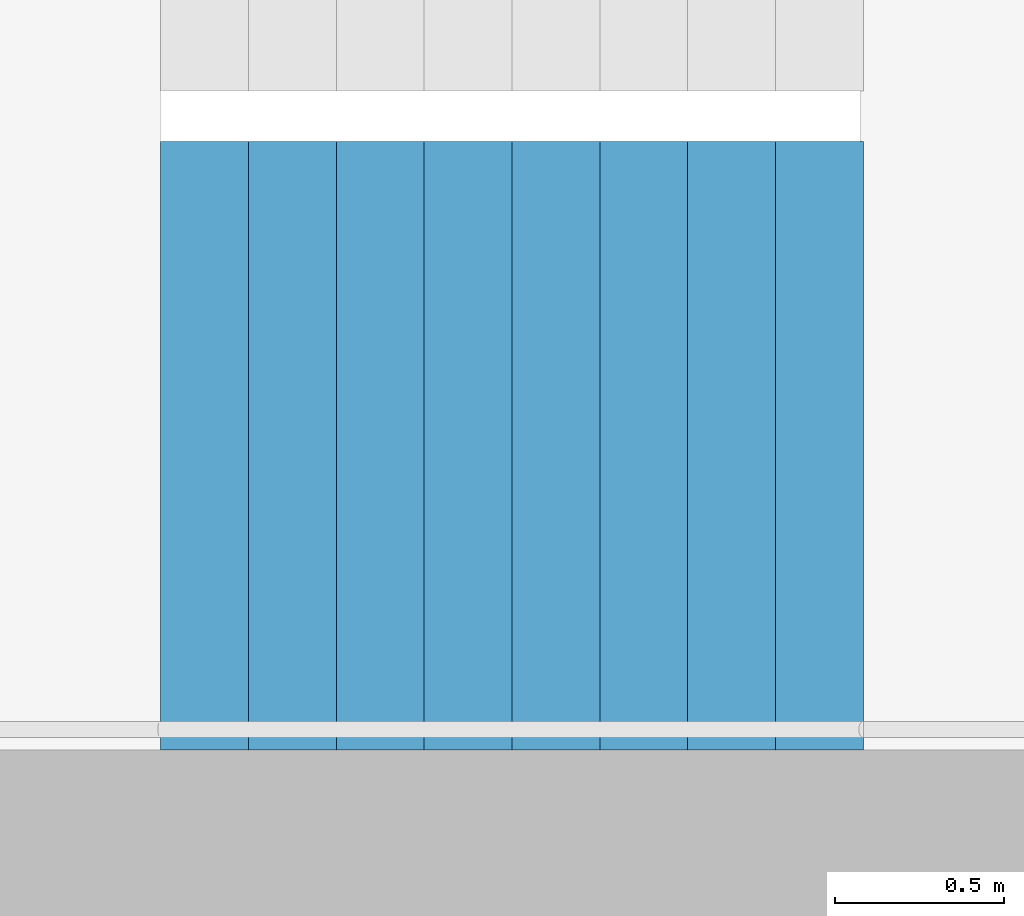
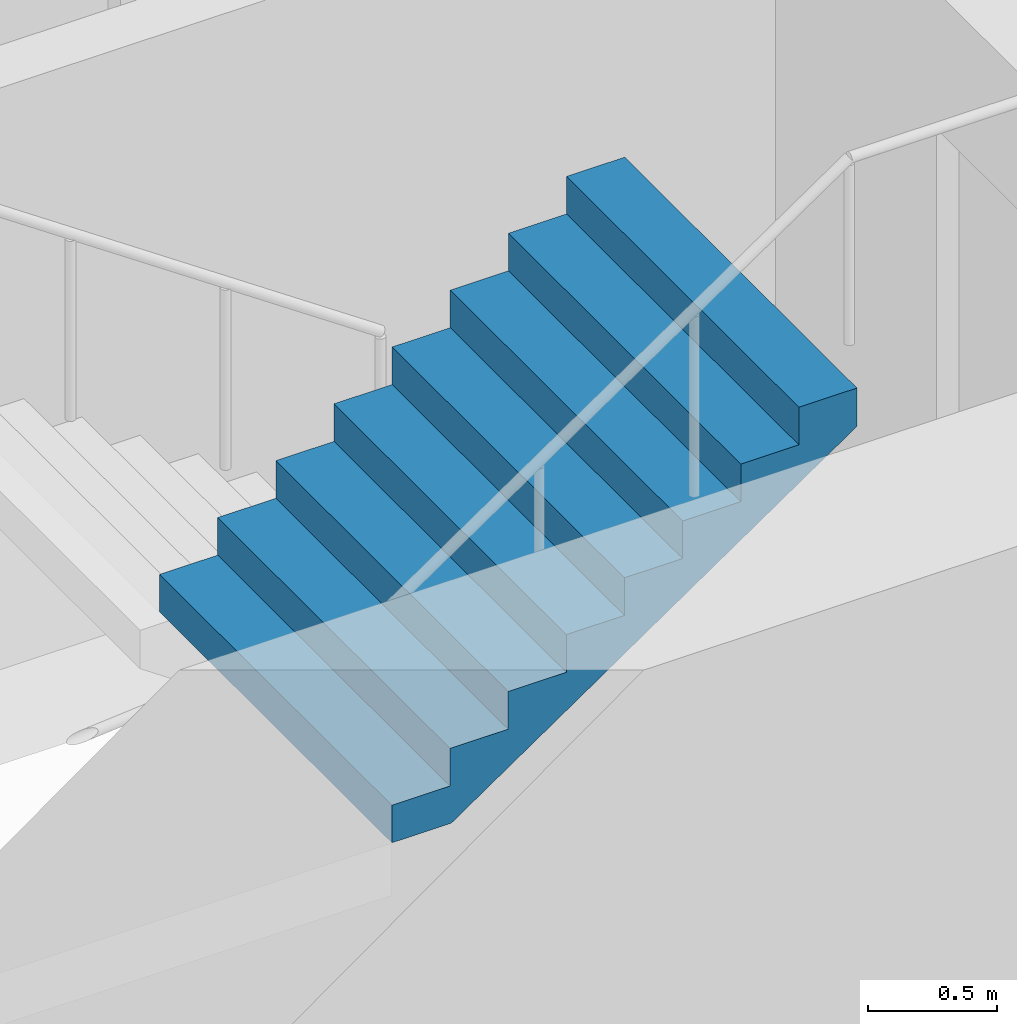
# One storey, part 17 of 25: 1 stair flight, 1 element without a shape of its own.
"""IFC4 building model written with IfcOpenShell, lengths in metres."""

import ifcopenshell
import ifcopenshell.guid

model = None  # the IFC model being written
_history = None  # IfcOwnerHistory: only IFC2X3 demands one
_inside = {}  # id of a spatial element -> (the spatial element, [elements in it])
_under = {}  # id of a project, library or spatial element -> (it, [spatial elements below it])
_declared = {}  # id of a project -> (the project, [libraries it declares])
_typed = {}  # id of a type object -> (the type object, [elements of that type])
_made_of = {}  # id of a material, layer set ... -> (it, [elements and type objects made of it])


def new_model(schema):
    """Start an empty IFC model of exactly this schema.

    Asked for "IFC4X3", IfcOpenShell would pick the latest addendum, in which some entities
    have other attributes; the version numbers below select the first issue.
    IFC2X3 requires an IfcOwnerHistory on every rooted entity: one is made here for all.
    """
    global model, _history
    if schema == "IFC4X3":
        model = ifcopenshell.file(schema_version=(4, 3, 0, 0))
    else:
        model = ifcopenshell.file(schema=schema)
    _inside.clear()
    _under.clear()
    _declared.clear()
    _typed.clear()
    _made_of.clear()
    _history = None
    if model.schema == "IFC2X3":
        org = make("IfcOrganization", Name="unknown")
        user = make(
            "IfcPersonAndOrganization",
            ThePerson=make("IfcPerson", FamilyName="unknown"),
            TheOrganization=org,
        )
        app = make(
            "IfcApplication",
            ApplicationDeveloper=org,
            Version="unknown",
            ApplicationFullName="unknown",
            ApplicationIdentifier="unknown",
        )
        _history = make(
            "IfcOwnerHistory",
            OwningUser=user,
            OwningApplication=app,
            ChangeAction="ADDED",
            CreationDate=0,
        )
    return model


def make(cls, **values):
    """One entity of the class cls with the attributes given. An attribute that is None is left unset."""
    return model.create_entity(
        cls, **{name: value for name, value in values.items() if value is not None}
    )


def rooted(cls, **values):
    """An entity with a GlobalId (a new one), such as an element, a storey or a relation."""
    return make(cls, GlobalId=ifcopenshell.guid.new(), OwnerHistory=_history, **values)


def si_unit(unit_type, name, prefix=None):
    """IfcSIUnit, for example si_unit("LENGTHUNIT", "METRE", prefix="MILLI")."""
    return make("IfcSIUnit", UnitType=unit_type, Prefix=prefix, Name=name)


def assignment(units):
    """IfcUnitAssignment: the units of a project."""
    return None if units is None else make("IfcUnitAssignment", Units=units)


def point(xyz):
    """IfcCartesianPoint."""
    return None if xyz is None else make("IfcCartesianPoint", Coordinates=xyz)


def direction(xyz):
    """IfcDirection."""
    return None if xyz is None else make("IfcDirection", DirectionRatios=xyz)


def frame(location, z_axis=None, x_axis=None):
    """IfcAxis2Placement3D, a coordinate frame: its origin and axes. An axis left out is left unset."""
    return make(
        "IfcAxis2Placement3D",
        Location=point(location),
        Axis=direction(z_axis),
        RefDirection=direction(x_axis),
    )


def origin():
    """The frame at (0, 0, 0) with its axes left unset."""
    return frame((0.0, 0.0, 0.0))


def place(relative_to, where):
    """IfcLocalPlacement: puts the frame where relative to a parent placement (None: the world)."""
    return make(
        "IfcLocalPlacement", PlacementRelTo=relative_to, RelativePlacement=where
    )


def context(
    kind, dimensions, precision=None, world=None, true_north=None, identifier=None
):
    """IfcGeometricRepresentationContext, for example the 3D "Model" context."""
    return make(
        "IfcGeometricRepresentationContext",
        ContextIdentifier=identifier,
        ContextType=kind,
        CoordinateSpaceDimension=dimensions,
        Precision=precision,
        WorldCoordinateSystem=world,
        TrueNorth=true_north,
    )


def subcontext(parent, identifier, kind, view, scale=None):
    """IfcGeometricRepresentationSubContext, for example "Body" below "Model"."""
    return make(
        "IfcGeometricRepresentationSubContext",
        ContextIdentifier=identifier,
        ContextType=kind,
        ParentContext=parent,
        TargetScale=scale,
        TargetView=view,
    )


def project(units=None, contexts=None):
    """IfcProject with its units and contexts."""
    return rooted(
        "IfcProject",
        Name="project",
        RepresentationContexts=contexts,
        UnitsInContext=assignment(units),
    )


def spatial(cls, under=None, at=None, **own):
    """A site, building, storey or space (cls), placed at a placement, below another one or the project."""
    s = rooted(cls, ObjectPlacement=at, **own)
    if under is not None:
        _under.setdefault(under.id(), (under, []))[1].append(s)
    return s


def point_list(points):
    """IfcCartesianPointList2D or 3D."""
    cls = (
        "IfcCartesianPointList2D" if len(points[0]) == 2 else "IfcCartesianPointList3D"
    )
    return make(cls, CoordList=points)


def triangles(points, corners, closed=None, point_numbers=None):
    """IfcTriangulatedFaceSet: each triangle names its three corners, points numbered from 1."""
    return make(
        "IfcTriangulatedFaceSet",
        Coordinates=point_list(points),
        Closed=closed,
        CoordIndex=corners,
        PnIndex=point_numbers,
    )


def shape(context_of_items, identifier, shape_type, items):
    """IfcShapeRepresentation: the items that make up one representation, for example the "Body"."""
    return make(
        "IfcShapeRepresentation",
        ContextOfItems=context_of_items,
        RepresentationIdentifier=identifier,
        RepresentationType=shape_type,
        Items=items,
    )


def material(Name=None, Category=None):
    """IfcMaterial."""
    return make("IfcMaterial", Name=Name, Category=Category)


def made_of(thing, what):
    """Note that an element or type object is made of a material, layer set ...; save() writes the relation."""
    if what is not None:
        _made_of.setdefault(what.id(), (what, []))[1].append(thing)
    return thing


def type_object(cls, material=None, **own):
    """A type object (cls), such as IfcWallType, which elements share."""
    return made_of(rooted(cls, **own), material)


def element(
    cls,
    number,
    at=None,
    inside=None,
    cuts=None,
    type_object=None,
    material=None,
    context=None,
    identifier="Body",
    shape_type=None,
    held_by="IfcProductDefinitionShape",
    body=None,
    shapes=None,
    **own,
):
    """One element of the class cls, such as IfcWall. Its Tag is "e" and its number.

    at: its placement. inside: the storey or other place that contains it. cuts: it is an
    opening in that element (IfcRelVoidsElement). A single representation is given by context,
    identifier, shape_type and body (its items); several are given by shapes. held_by: the class
    of the entity that holds the representations. save() writes the other relations.
    """
    e = rooted(cls, Tag="e%d" % number, ObjectPlacement=at, **own)
    if body is not None:
        shapes = [shape(context, identifier, shape_type, body)]
    if shapes is not None:
        e.Representation = make(held_by, Representations=shapes)
    if inside is not None:
        _inside.setdefault(inside.id(), (inside, []))[1].append(e)
    if cuts is not None:
        rooted(
            "IfcRelVoidsElement", RelatingBuildingElement=cuts, RelatedOpeningElement=e
        )
    if type_object is not None:
        _typed.setdefault(type_object.id(), (type_object, []))[1].append(e)
    return made_of(e, material)


def aggregate(whole, parts):
    """IfcRelAggregates: a whole, such as a stair, and the parts it consists of."""
    return rooted("IfcRelAggregates", RelatingObject=whole, RelatedObjects=parts)


def save(model, path):
    """Write the relations noted so far, then the file.

    IfcRelAggregates (storeys below a building ...), IfcRelContainedInSpatialStructure (elements
    in a storey), IfcRelDefinesByType, IfcRelAssociatesMaterial and IfcRelDeclares: one each for
    every whole, place, type object, material and project.
    """
    for whole, parts in _under.values():
        aggregate(whole, parts)
    for where, things in _inside.values():
        rooted(
            "IfcRelContainedInSpatialStructure",
            RelatedElements=things,
            RelatingStructure=where,
        )
    for kind, things in _typed.values():
        rooted("IfcRelDefinesByType", RelatedObjects=things, RelatingType=kind)
    for what, things in _made_of.values():
        rooted("IfcRelAssociatesMaterial", RelatedObjects=things, RelatingMaterial=what)
    for by, libraries in _declared.values():
        rooted("IfcRelDeclares", RelatingContext=by, RelatedDefinitions=libraries)
    model.write(path)


model = new_model("IFC4")

# Units and contexts
model_context = context("Model", 3, precision=1e-05, world=origin(), true_north=direction((0.0, 1.0)))
body_context = subcontext(model_context, "Body", "Model", "MODEL_VIEW")
ifc_project = project(units=[si_unit("LENGTHUNIT", "METRE"), si_unit("AREAUNIT", "SQUARE_METRE"), si_unit("VOLUMEUNIT", "CUBIC_METRE"), si_unit("PLANEANGLEUNIT", "RADIAN"), si_unit("MASSUNIT", "GRAM", prefix="KILO")], contexts=[model_context])

# Site, building, storey
site_placement = place(None, origin())
site = spatial("IfcSite", under=ifc_project, at=site_placement, CompositionType="ELEMENT")
building_placement = place(site_placement, origin())
building = spatial("IfcBuilding", under=site, at=building_placement, Name="Hakoniwa Tower and Hamabe Station Hall", CompositionType="ELEMENT")
storey_placement = place(building_placement, frame((0.0, 0.0, 202.60009765625)))
storey = spatial("IfcBuildingStorey", under=building, at=storey_placement, Name="L57", CompositionType="ELEMENT", Elevation=202.60009765625)

# Stair, stair flight
ifc_material_1 = material(Name="Concrete C40", Category="concrete")
stair_type = type_object("IfcStairType", Name="ESCAPE STAIR 1800", PredefinedType="HALF_TURN_STAIR", material=ifc_material_1)
stair_placement = place(storey_placement, origin())
stair = element("IfcStair", 1, at=stair_placement, inside=storey, type_object=stair_type, Name="Escape stair ST-2 L57", PredefinedType="HALF_TURN_STAIR")
ifc_material_2 = material(Name="Concrete C40", Category="concrete")
stair_flight_type = type_object("IfcStairFlightType", Name="STAIR FLIGHT 1800", PredefinedType="STRAIGHT", material=ifc_material_2)
stair_flight_placement = place(storey_placement, frame((-25.47998046875, -6.60009765625, 1.599853515625), z_axis=(0.0, 0.0, 1.0), x_axis=(1.0, 0.0, 0.0)))
stair_flight = element("IfcStairFlight", 2, at=stair_flight_placement, type_object=stair_flight_type, Name="ST-2 flight 2", NumberOfRisers=9, NumberOfTreads=8, PredefinedType="STRAIGHT", RiserHeight=0.177777778, TreadLength=0.26, context=body_context, shape_type="Tessellation", body=[
    triangles([(0.0, 0.89990234375, 0.0), (0.260009765625, 0.89990234375, 0.0), (0.265625, 0.89990234375, 0.0), (0.52001953125, 0.89990234375, 0.174072265625), (0.780029296875, 0.89990234375, 0.351806640625), (1.0400390625, 0.89990234375, 0.529541015625), (1.300048828125, 0.89990234375, 0.707275390625), (1.56005859375, 0.89990234375, 0.885009765625), (1.820068359375, 0.89990234375, 1.062744140625), (2.080078125, 0.89990234375, 1.24072265625), (2.080078125, 0.89990234375, 1.422119140625), (1.820068359375, 0.89990234375, 1.422119140625), (1.820068359375, 0.89990234375, 1.244384765625), (1.56005859375, 0.89990234375, 1.244384765625), (1.56005859375, 0.89990234375, 1.066650390625), (1.300048828125, 0.89990234375, 1.066650390625), (1.300048828125, 0.89990234375, 0.888916015625), (1.0400390625, 0.89990234375, 0.888916015625), (1.0400390625, 0.89990234375, 0.711181640625), (0.780029296875, 0.89990234375, 0.711181640625), (0.780029296875, 0.89990234375, 0.533447265625), (0.52001953125, 0.89990234375, 0.533447265625), (0.52001953125, 0.89990234375, 0.35546875), (0.265625, 0.89990234375, 0.35546875), (0.260009765625, 0.89990234375, 0.35546875), (0.260009765625, 0.89990234375, 0.177734375), (0.0, 0.89990234375, 0.177734375), (0.0, 0.06005859375, 0.0), (0.260009765625, 0.06005859375, 0.0), (0.265625, 0.06005859375, 0.0), (0.52001953125, 0.06005859375, 0.174072265625), (0.780029296875, 0.06005859375, 0.351806640625), (1.0400390625, 0.06005859375, 0.529541015625), (1.300048828125, 0.06005859375, 0.707275390625), (1.56005859375, 0.06005859375, 0.885009765625), (1.820068359375, 0.06005859375, 1.062744140625), (2.080078125, 0.06005859375, 1.24072265625), (2.080078125, 0.06005859375, 1.422119140625), (1.820068359375, 0.06005859375, 1.422119140625), (1.820068359375, 0.06005859375, 1.244384765625), (1.56005859375, 0.06005859375, 1.244384765625), (1.56005859375, 0.06005859375, 1.066650390625), (1.300048828125, 0.06005859375, 1.066650390625), (1.300048828125, 0.06005859375, 0.888916015625), (1.0400390625, 0.06005859375, 0.888916015625), (1.0400390625, 0.06005859375, 0.711181640625), (0.780029296875, 0.06005859375, 0.711181640625), (0.780029296875, 0.06005859375, 0.533447265625), (0.52001953125, 0.06005859375, 0.533447265625), (0.52001953125, 0.06005859375, 0.35546875), (0.265625, 0.06005859375, 0.35546875), (0.260009765625, 0.06005859375, 0.35546875), (0.260009765625, 0.06005859375, 0.177734375), (0.0, 0.06005859375, 0.177734375), (0.0, 0.04296875, 0.0), (0.260009765625, 0.04296875, 0.0), (0.265625, 0.04296875, 0.0), (0.52001953125, 0.04296875, 0.174072265625), (0.780029296875, 0.04296875, 0.351806640625), (1.0400390625, 0.04296875, 0.529541015625), (1.300048828125, 0.04296875, 0.707275390625), (1.56005859375, 0.04296875, 0.885009765625), (1.820068359375, 0.04296875, 1.062744140625), (2.080078125, 0.04296875, 1.24072265625), (2.080078125, 0.04296875, 1.422119140625), (1.820068359375, 0.04296875, 1.422119140625), (1.820068359375, 0.04296875, 1.244384765625), (1.56005859375, 0.04296875, 1.244384765625), (1.56005859375, 0.04296875, 1.066650390625), (1.300048828125, 0.04296875, 1.066650390625), (1.300048828125, 0.04296875, 0.888916015625), (1.0400390625, 0.04296875, 0.888916015625), (1.0400390625, 0.04296875, 0.711181640625), (0.780029296875, 0.04296875, 0.711181640625), (0.780029296875, 0.04296875, 0.533447265625), (0.52001953125, 0.04296875, 0.533447265625), (0.52001953125, 0.04296875, 0.35546875), (0.265625, 0.04296875, 0.35546875), (0.260009765625, 0.04296875, 0.35546875), (0.260009765625, 0.04296875, 0.177734375), (0.0, 0.04296875, 0.177734375), (0.0, 0.025634765625, 0.0), (0.260009765625, 0.025634765625, 0.0), (0.265625, 0.025634765625, 0.0), (0.52001953125, 0.025634765625, 0.174072265625), (0.780029296875, 0.025634765625, 0.351806640625), (1.0400390625, 0.025634765625, 0.529541015625), (1.300048828125, 0.025634765625, 0.707275390625), (1.56005859375, 0.025634765625, 0.885009765625), (1.820068359375, 0.025634765625, 1.062744140625), (2.080078125, 0.025634765625, 1.24072265625), (2.080078125, 0.025634765625, 1.422119140625), (1.820068359375, 0.025634765625, 1.422119140625), (1.820068359375, 0.025634765625, 1.244384765625), (1.56005859375, 0.025634765625, 1.244384765625), (1.56005859375, 0.025634765625, 1.066650390625), (1.300048828125, 0.025634765625, 1.066650390625), (1.300048828125, 0.025634765625, 0.888916015625), (1.0400390625, 0.025634765625, 0.888916015625), (1.0400390625, 0.025634765625, 0.711181640625), (0.780029296875, 0.025634765625, 0.711181640625), (0.780029296875, 0.025634765625, 0.533447265625), (0.52001953125, 0.025634765625, 0.533447265625), (0.52001953125, 0.025634765625, 0.35546875), (0.265625, 0.025634765625, 0.35546875), (0.260009765625, 0.025634765625, 0.35546875), (0.260009765625, 0.025634765625, 0.177734375), (0.0, 0.025634765625, 0.177734375), (0.0, 0.008544921875, 0.0), (0.260009765625, 0.008544921875, 0.0), (0.265625, 0.008544921875, 0.0), (0.52001953125, 0.008544921875, 0.174072265625), (0.780029296875, 0.008544921875, 0.351806640625), (1.0400390625, 0.008544921875, 0.529541015625), (1.300048828125, 0.008544921875, 0.707275390625), (1.56005859375, 0.008544921875, 0.885009765625), (1.820068359375, 0.008544921875, 1.062744140625), (2.080078125, 0.008544921875, 1.24072265625), (2.080078125, 0.008544921875, 1.422119140625), (1.820068359375, 0.008544921875, 1.422119140625), (1.820068359375, 0.008544921875, 1.244384765625), (1.56005859375, 0.008544921875, 1.244384765625), (1.56005859375, 0.008544921875, 1.066650390625), (1.300048828125, 0.008544921875, 1.066650390625), (1.300048828125, 0.008544921875, 0.888916015625), (1.0400390625, 0.008544921875, 0.888916015625), (1.0400390625, 0.008544921875, 0.711181640625), (0.780029296875, 0.008544921875, 0.711181640625), (0.780029296875, 0.008544921875, 0.533447265625), (0.52001953125, 0.008544921875, 0.533447265625), (0.52001953125, 0.008544921875, 0.35546875), (0.265625, 0.008544921875, 0.35546875), (0.260009765625, 0.008544921875, 0.35546875), (0.260009765625, 0.008544921875, 0.177734375), (0.0, 0.008544921875, 0.177734375), (0.0, -0.008544921875, 0.0), (0.260009765625, -0.008544921875, 0.0), (0.265625, -0.008544921875, 0.0), (0.52001953125, -0.008544921875, 0.174072265625), (0.780029296875, -0.008544921875, 0.351806640625), (1.0400390625, -0.008544921875, 0.529541015625), (1.300048828125, -0.008544921875, 0.707275390625), (1.56005859375, -0.008544921875, 0.885009765625), (1.820068359375, -0.008544921875, 1.062744140625), (2.080078125, -0.008544921875, 1.24072265625), (2.080078125, -0.008544921875, 1.422119140625), (1.820068359375, -0.008544921875, 1.422119140625), (1.820068359375, -0.008544921875, 1.244384765625), (1.56005859375, -0.008544921875, 1.244384765625), (1.56005859375, -0.008544921875, 1.066650390625), (1.300048828125, -0.008544921875, 1.066650390625), (1.300048828125, -0.008544921875, 0.888916015625), (1.0400390625, -0.008544921875, 0.888916015625), (1.0400390625, -0.008544921875, 0.711181640625), (0.780029296875, -0.008544921875, 0.711181640625), (0.780029296875, -0.008544921875, 0.533447265625), (0.52001953125, -0.008544921875, 0.533447265625), (0.52001953125, -0.008544921875, 0.35546875), (0.265625, -0.008544921875, 0.35546875), (0.260009765625, -0.008544921875, 0.35546875), (0.260009765625, -0.008544921875, 0.177734375), (0.0, -0.008544921875, 0.177734375), (0.0, -0.025634765625, 0.0), (0.260009765625, -0.025634765625, 0.0), (0.265625, -0.025634765625, 0.0), (0.52001953125, -0.025634765625, 0.174072265625), (0.780029296875, -0.025634765625, 0.351806640625), (1.0400390625, -0.025634765625, 0.529541015625), (1.300048828125, -0.025634765625, 0.707275390625), (1.56005859375, -0.025634765625, 0.885009765625), (1.820068359375, -0.025634765625, 1.062744140625), (2.080078125, -0.025634765625, 1.24072265625), (2.080078125, -0.025634765625, 1.422119140625), (1.820068359375, -0.025634765625, 1.422119140625), (1.820068359375, -0.025634765625, 1.244384765625), (1.56005859375, -0.025634765625, 1.244384765625), (1.56005859375, -0.025634765625, 1.066650390625), (1.300048828125, -0.025634765625, 1.066650390625), (1.300048828125, -0.025634765625, 0.888916015625), (1.0400390625, -0.025634765625, 0.888916015625), (1.0400390625, -0.025634765625, 0.711181640625), (0.780029296875, -0.025634765625, 0.711181640625), (0.780029296875, -0.025634765625, 0.533447265625), (0.52001953125, -0.025634765625, 0.533447265625), (0.52001953125, -0.025634765625, 0.35546875), (0.265625, -0.025634765625, 0.35546875), (0.260009765625, -0.025634765625, 0.35546875), (0.260009765625, -0.025634765625, 0.177734375), (0.0, -0.025634765625, 0.177734375), (0.0, -0.04296875, 0.0), (0.260009765625, -0.04296875, 0.0), (0.265625, -0.04296875, 0.0), (0.52001953125, -0.04296875, 0.174072265625), (0.780029296875, -0.04296875, 0.351806640625), (1.0400390625, -0.04296875, 0.529541015625), (1.300048828125, -0.04296875, 0.707275390625), (1.56005859375, -0.04296875, 0.885009765625), (1.820068359375, -0.04296875, 1.062744140625), (2.080078125, -0.04296875, 1.24072265625), (2.080078125, -0.04296875, 1.422119140625), (1.820068359375, -0.04296875, 1.422119140625), (1.820068359375, -0.04296875, 1.244384765625), (1.56005859375, -0.04296875, 1.244384765625), (1.56005859375, -0.04296875, 1.066650390625), (1.300048828125, -0.04296875, 1.066650390625), (1.300048828125, -0.04296875, 0.888916015625), (1.0400390625, -0.04296875, 0.888916015625), (1.0400390625, -0.04296875, 0.711181640625), (0.780029296875, -0.04296875, 0.711181640625), (0.780029296875, -0.04296875, 0.533447265625), (0.52001953125, -0.04296875, 0.533447265625), (0.52001953125, -0.04296875, 0.35546875), (0.265625, -0.04296875, 0.35546875), (0.260009765625, -0.04296875, 0.35546875), (0.260009765625, -0.04296875, 0.177734375), (0.0, -0.04296875, 0.177734375), (0.0, -0.06005859375, 0.0), (0.260009765625, -0.06005859375, 0.0), (0.265625, -0.06005859375, 0.0), (0.52001953125, -0.06005859375, 0.174072265625), (0.780029296875, -0.06005859375, 0.351806640625), (1.0400390625, -0.06005859375, 0.529541015625), (1.300048828125, -0.06005859375, 0.707275390625), (1.56005859375, -0.06005859375, 0.885009765625), (1.820068359375, -0.06005859375, 1.062744140625), (2.080078125, -0.06005859375, 1.24072265625), (2.080078125, -0.06005859375, 1.422119140625), (1.820068359375, -0.06005859375, 1.422119140625), (1.820068359375, -0.06005859375, 1.244384765625), (1.56005859375, -0.06005859375, 1.244384765625), (1.56005859375, -0.06005859375, 1.066650390625), (1.300048828125, -0.06005859375, 1.066650390625), (1.300048828125, -0.06005859375, 0.888916015625), (1.0400390625, -0.06005859375, 0.888916015625), (1.0400390625, -0.06005859375, 0.711181640625), (0.780029296875, -0.06005859375, 0.711181640625), (0.780029296875, -0.06005859375, 0.533447265625), (0.52001953125, -0.06005859375, 0.533447265625), (0.52001953125, -0.06005859375, 0.35546875), (0.265625, -0.06005859375, 0.35546875), (0.260009765625, -0.06005859375, 0.35546875), (0.260009765625, -0.06005859375, 0.177734375), (0.0, -0.06005859375, 0.177734375), (0.0, -0.89990234375, 0.0), (0.260009765625, -0.89990234375, 0.0), (0.265625, -0.89990234375, 0.0), (0.52001953125, -0.89990234375, 0.174072265625), (0.780029296875, -0.89990234375, 0.351806640625), (1.0400390625, -0.89990234375, 0.529541015625), (1.300048828125, -0.89990234375, 0.707275390625), (1.56005859375, -0.89990234375, 0.885009765625), (1.820068359375, -0.89990234375, 1.062744140625), (2.080078125, -0.89990234375, 1.24072265625), (2.080078125, -0.89990234375, 1.422119140625), (1.820068359375, -0.89990234375, 1.422119140625), (1.820068359375, -0.89990234375, 1.244384765625), (1.56005859375, -0.89990234375, 1.244384765625), (1.56005859375, -0.89990234375, 1.066650390625), (1.300048828125, -0.89990234375, 1.066650390625), (1.300048828125, -0.89990234375, 0.888916015625), (1.0400390625, -0.89990234375, 0.888916015625), (1.0400390625, -0.89990234375, 0.711181640625), (0.780029296875, -0.89990234375, 0.711181640625), (0.780029296875, -0.89990234375, 0.533447265625), (0.52001953125, -0.89990234375, 0.533447265625), (0.52001953125, -0.89990234375, 0.35546875), (0.265625, -0.89990234375, 0.35546875), (0.260009765625, -0.89990234375, 0.35546875), (0.260009765625, -0.89990234375, 0.177734375), (0.0, -0.89990234375, 0.177734375)], [[2, 27, 26], [245, 269, 270], [2, 1, 27], [245, 270, 244], [3, 25, 24], [246, 267, 268], [3, 26, 25], [246, 268, 269], [3, 2, 26], [246, 269, 245], [4, 24, 23], [247, 266, 267], [4, 3, 24], [247, 267, 246], [5, 22, 21], [248, 264, 265], [5, 23, 22], [248, 265, 266], [5, 4, 23], [248, 266, 247], [6, 20, 19], [249, 262, 263], [6, 21, 20], [249, 263, 264], [6, 5, 21], [249, 264, 248], [7, 18, 17], [250, 260, 261], [7, 19, 18], [250, 261, 262], [7, 6, 19], [250, 262, 249], [8, 16, 15], [251, 258, 259], [8, 17, 16], [251, 259, 260], [8, 7, 17], [251, 260, 250], [9, 14, 13], [252, 256, 257], [9, 15, 14], [252, 257, 258], [9, 8, 15], [252, 258, 251], [10, 12, 11], [253, 254, 255], [10, 13, 12], [253, 255, 256], [10, 9, 13], [253, 256, 252], [1, 2, 29], [1, 29, 28], [28, 29, 56], [28, 56, 55], [55, 56, 83], [55, 83, 82], [82, 83, 110], [82, 110, 109], [109, 110, 137], [109, 137, 136], [136, 137, 164], [136, 164, 163], [163, 164, 191], [163, 191, 190], [190, 191, 218], [190, 218, 217], [217, 218, 245], [217, 245, 244], [2, 3, 30], [2, 30, 29], [29, 30, 57], [29, 57, 56], [56, 57, 84], [56, 84, 83], [83, 84, 111], [83, 111, 110], [110, 111, 138], [110, 138, 137], [137, 138, 165], [137, 165, 164], [164, 165, 192], [164, 192, 191], [191, 192, 219], [191, 219, 218], [218, 219, 246], [218, 246, 245], [3, 4, 31], [3, 31, 30], [30, 31, 58], [30, 58, 57], [57, 58, 85], [57, 85, 84], [84, 85, 112], [84, 112, 111], [111, 112, 139], [111, 139, 138], [138, 139, 166], [138, 166, 165], [165, 166, 193], [165, 193, 192], [192, 193, 220], [192, 220, 219], [219, 220, 247], [219, 247, 246], [4, 5, 32], [4, 32, 31], [31, 32, 59], [31, 59, 58], [58, 59, 86], [58, 86, 85], [85, 86, 113], [85, 113, 112], [112, 113, 140], [112, 140, 139], [139, 140, 167], [139, 167, 166], [166, 167, 194], [166, 194, 193], [193, 194, 221], [193, 221, 220], [220, 221, 248], [220, 248, 247], [5, 6, 33], [5, 33, 32], [32, 33, 60], [32, 60, 59], [59, 60, 87], [59, 87, 86], [86, 87, 114], [86, 114, 113], [113, 114, 141], [113, 141, 140], [140, 141, 168], [140, 168, 167], [167, 168, 195], [167, 195, 194], [194, 195, 222], [194, 222, 221], [221, 222, 249], [221, 249, 248], [6, 7, 34], [6, 34, 33], [33, 34, 61], [33, 61, 60], [60, 61, 88], [60, 88, 87], [87, 88, 115], [87, 115, 114], [114, 115, 142], [114, 142, 141], [141, 142, 169], [141, 169, 168], [168, 169, 196], [168, 196, 195], [195, 196, 223], [195, 223, 222], [222, 223, 250], [222, 250, 249], [7, 8, 35], [7, 35, 34], [34, 35, 62], [34, 62, 61], [61, 62, 89], [61, 89, 88], [88, 89, 116], [88, 116, 115], [115, 116, 143], [115, 143, 142], [142, 143, 170], [142, 170, 169], [169, 170, 197], [169, 197, 196], [196, 197, 224], [196, 224, 223], [223, 224, 251], [223, 251, 250], [8, 9, 36], [8, 36, 35], [35, 36, 63], [35, 63, 62], [62, 63, 90], [62, 90, 89], [89, 90, 117], [89, 117, 116], [116, 117, 144], [116, 144, 143], [143, 144, 171], [143, 171, 170], [170, 171, 198], [170, 198, 197], [197, 198, 225], [197, 225, 224], [224, 225, 252], [224, 252, 251], [9, 10, 37], [9, 37, 36], [36, 37, 64], [36, 64, 63], [63, 64, 91], [63, 91, 90], [90, 91, 118], [90, 118, 117], [117, 118, 145], [117, 145, 144], [144, 145, 172], [144, 172, 171], [171, 172, 199], [171, 199, 198], [198, 199, 226], [198, 226, 225], [225, 226, 253], [225, 253, 252], [10, 11, 38], [10, 38, 37], [37, 38, 65], [37, 65, 64], [64, 65, 92], [64, 92, 91], [91, 92, 119], [91, 119, 118], [118, 119, 146], [118, 146, 145], [145, 146, 173], [145, 173, 172], [172, 173, 200], [172, 200, 199], [199, 200, 227], [199, 227, 226], [226, 227, 254], [226, 254, 253], [11, 12, 39], [11, 39, 38], [38, 39, 66], [38, 66, 65], [65, 66, 93], [65, 93, 92], [92, 93, 120], [92, 120, 119], [119, 120, 147], [119, 147, 146], [146, 147, 174], [146, 174, 173], [173, 174, 201], [173, 201, 200], [200, 201, 228], [200, 228, 227], [227, 228, 255], [227, 255, 254], [12, 13, 40], [12, 40, 39], [39, 40, 67], [39, 67, 66], [66, 67, 94], [66, 94, 93], [93, 94, 121], [93, 121, 120], [120, 121, 148], [120, 148, 147], [147, 148, 175], [147, 175, 174], [174, 175, 202], [174, 202, 201], [201, 202, 229], [201, 229, 228], [228, 229, 256], [228, 256, 255], [13, 14, 41], [13, 41, 40], [40, 41, 68], [40, 68, 67], [67, 68, 95], [67, 95, 94], [94, 95, 122], [94, 122, 121], [121, 122, 149], [121, 149, 148], [148, 149, 176], [148, 176, 175], [175, 176, 203], [175, 203, 202], [202, 203, 230], [202, 230, 229], [229, 230, 257], [229, 257, 256], [14, 15, 42], [14, 42, 41], [41, 42, 69], [41, 69, 68], [68, 69, 96], [68, 96, 95], [95, 96, 123], [95, 123, 122], [122, 123, 150], [122, 150, 149], [149, 150, 177], [149, 177, 176], [176, 177, 204], [176, 204, 203], [203, 204, 231], [203, 231, 230], [230, 231, 258], [230, 258, 257], [15, 16, 43], [15, 43, 42], [42, 43, 70], [42, 70, 69], [69, 70, 97], [69, 97, 96], [96, 97, 124], [96, 124, 123], [123, 124, 151], [123, 151, 150], [150, 151, 178], [150, 178, 177], [177, 178, 205], [177, 205, 204], [204, 205, 232], [204, 232, 231], [231, 232, 259], [231, 259, 258], [16, 17, 44], [16, 44, 43], [43, 44, 71], [43, 71, 70], [70, 71, 98], [70, 98, 97], [97, 98, 125], [97, 125, 124], [124, 125, 152], [124, 152, 151], [151, 152, 179], [151, 179, 178], [178, 179, 206], [178, 206, 205], [205, 206, 233], [205, 233, 232], [232, 233, 260], [232, 260, 259], [17, 18, 45], [17, 45, 44], [44, 45, 72], [44, 72, 71], [71, 72, 99], [71, 99, 98], [98, 99, 126], [98, 126, 125], [125, 126, 153], [125, 153, 152], [152, 153, 180], [152, 180, 179], [179, 180, 207], [179, 207, 206], [206, 207, 234], [206, 234, 233], [233, 234, 261], [233, 261, 260], [18, 19, 46], [18, 46, 45], [45, 46, 73], [45, 73, 72], [72, 73, 100], [72, 100, 99], [99, 100, 127], [99, 127, 126], [126, 127, 154], [126, 154, 153], [153, 154, 181], [153, 181, 180], [180, 181, 208], [180, 208, 207], [207, 208, 235], [207, 235, 234], [234, 235, 262], [234, 262, 261], [19, 20, 47], [19, 47, 46], [46, 47, 74], [46, 74, 73], [73, 74, 101], [73, 101, 100], [100, 101, 128], [100, 128, 127], [127, 128, 155], [127, 155, 154], [154, 155, 182], [154, 182, 181], [181, 182, 209], [181, 209, 208], [208, 209, 236], [208, 236, 235], [235, 236, 263], [235, 263, 262], [20, 21, 48], [20, 48, 47], [47, 48, 75], [47, 75, 74], [74, 75, 102], [74, 102, 101], [101, 102, 129], [101, 129, 128], [128, 129, 156], [128, 156, 155], [155, 156, 183], [155, 183, 182], [182, 183, 210], [182, 210, 209], [209, 210, 237], [209, 237, 236], [236, 237, 264], [236, 264, 263], [21, 22, 49], [21, 49, 48], [48, 49, 76], [48, 76, 75], [75, 76, 103], [75, 103, 102], [102, 103, 130], [102, 130, 129], [129, 130, 157], [129, 157, 156], [156, 157, 184], [156, 184, 183], [183, 184, 211], [183, 211, 210], [210, 211, 238], [210, 238, 237], [237, 238, 265], [237, 265, 264], [22, 23, 50], [22, 50, 49], [49, 50, 77], [49, 77, 76], [76, 77, 104], [76, 104, 103], [103, 104, 131], [103, 131, 130], [130, 131, 158], [130, 158, 157], [157, 158, 185], [157, 185, 184], [184, 185, 212], [184, 212, 211], [211, 212, 239], [211, 239, 238], [238, 239, 266], [238, 266, 265], [23, 24, 51], [23, 51, 50], [50, 51, 78], [50, 78, 77], [77, 78, 105], [77, 105, 104], [104, 105, 132], [104, 132, 131], [131, 132, 159], [131, 159, 158], [158, 159, 186], [158, 186, 185], [185, 186, 213], [185, 213, 212], [212, 213, 240], [212, 240, 239], [239, 240, 267], [239, 267, 266], [24, 25, 52], [24, 52, 51], [51, 52, 79], [51, 79, 78], [78, 79, 106], [78, 106, 105], [105, 106, 133], [105, 133, 132], [132, 133, 160], [132, 160, 159], [159, 160, 187], [159, 187, 186], [186, 187, 214], [186, 214, 213], [213, 214, 241], [213, 241, 240], [240, 241, 268], [240, 268, 267], [25, 26, 53], [25, 53, 52], [52, 53, 80], [52, 80, 79], [79, 80, 107], [79, 107, 106], [106, 107, 134], [106, 134, 133], [133, 134, 161], [133, 161, 160], [160, 161, 188], [160, 188, 187], [187, 188, 215], [187, 215, 214], [214, 215, 242], [214, 242, 241], [241, 242, 269], [241, 269, 268], [26, 27, 54], [26, 54, 53], [53, 54, 81], [53, 81, 80], [80, 81, 108], [80, 108, 107], [107, 108, 135], [107, 135, 134], [134, 135, 162], [134, 162, 161], [161, 162, 189], [161, 189, 188], [188, 189, 216], [188, 216, 215], [215, 216, 243], [215, 243, 242], [242, 243, 270], [242, 270, 269], [27, 1, 28], [27, 28, 54], [54, 28, 55], [54, 55, 81], [81, 55, 82], [81, 82, 108], [108, 82, 109], [108, 109, 135], [135, 109, 136], [135, 136, 162], [162, 136, 163], [162, 163, 189], [189, 163, 190], [189, 190, 216], [216, 190, 217], [216, 217, 243], [243, 217, 244], [243, 244, 270]], closed=True),
])
aggregate(stair, [stair_flight])

save(model, "model.ifc")
